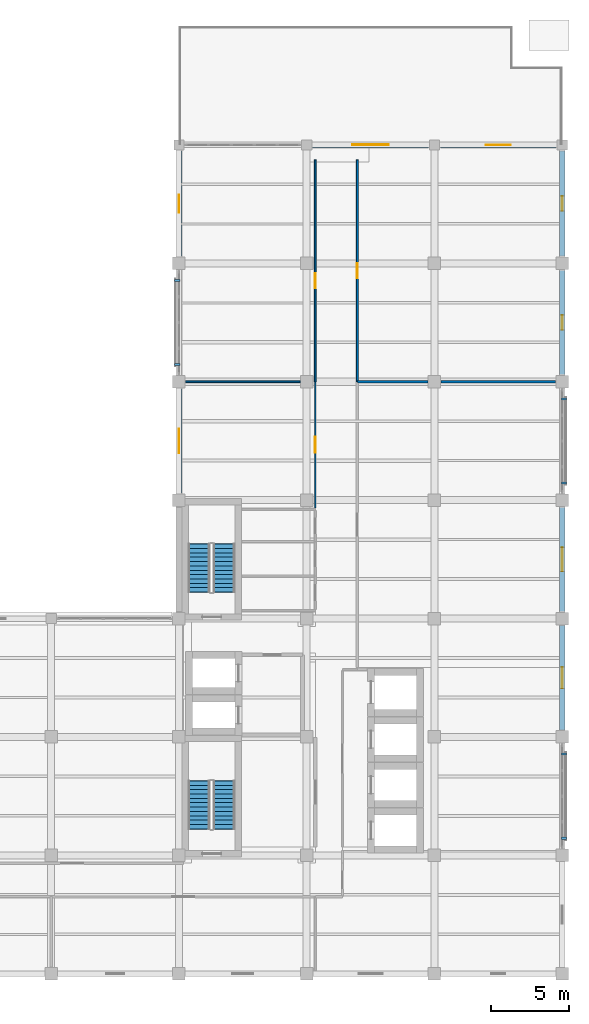
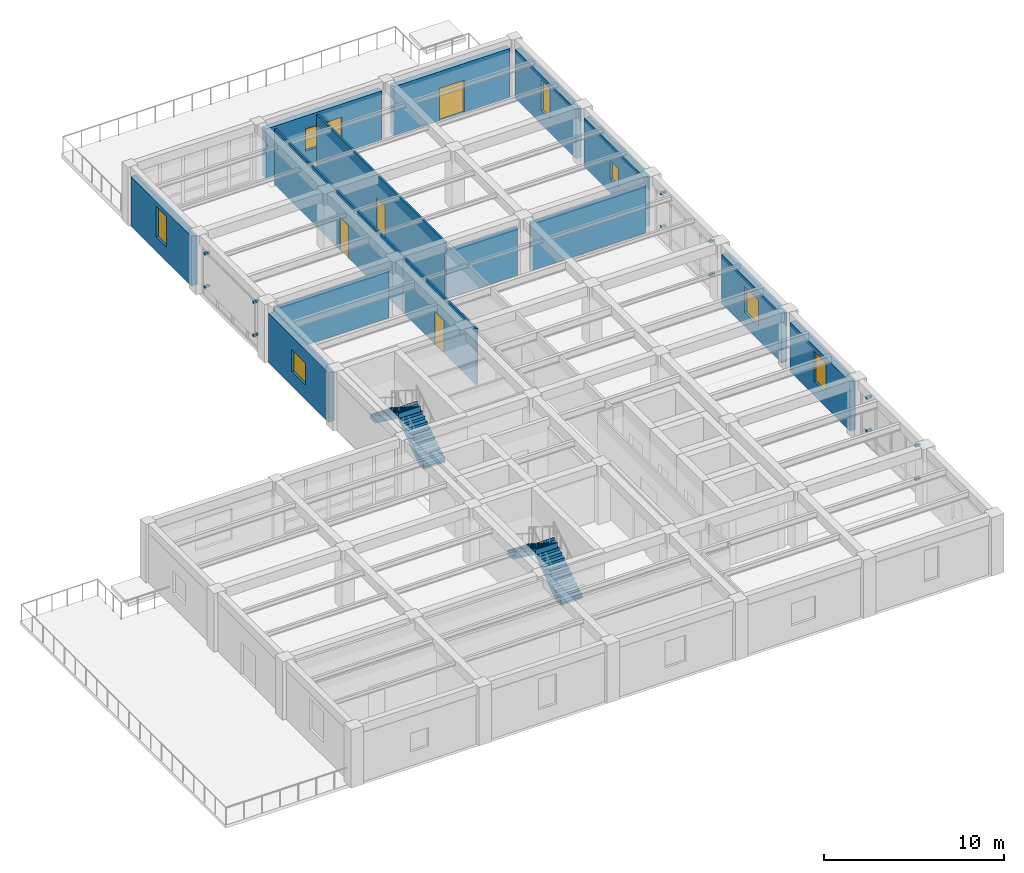
# One storey, part 9 of 14: 14 walls, 12 discrete accessories, 7 windows, 4 doors, 4 stair flights, 11 openings, 2 elements without a shape of their own.
"""IFC4 building model written with IfcOpenShell, lengths in metres."""

from ifc_helpers import new_model, si_unit, direction, frame, frame_2d, origin, origin_2d, place, context, subcontext, project, spatial, polyline, rectangle, outline, extrude, material, layer, layer_set, type_object, element, fill, aggregate, save


model = new_model("IFC4")

# Units and contexts
model_context = context("Model", 3, precision=1e-05, world=origin(), true_north=direction((0.0, 1.0)))
body_context = subcontext(model_context, "Body", "Model", "MODEL_VIEW")
ifc_project = project(units=[si_unit("LENGTHUNIT", "METRE"), si_unit("AREAUNIT", "SQUARE_METRE"), si_unit("VOLUMEUNIT", "CUBIC_METRE"), si_unit("PLANEANGLEUNIT", "RADIAN"), si_unit("MASSUNIT", "GRAM", prefix="KILO")], contexts=[model_context])

# Site, building, storey
site_placement = place(None, origin())
site = spatial("IfcSite", under=ifc_project, at=site_placement, CompositionType="ELEMENT")
building_placement = place(site_placement, origin())
building = spatial("IfcBuilding", under=site, at=building_placement, Name="Qandaris Square Conservatory and Botanical Centre", CompositionType="ELEMENT")
storey_placement = place(building_placement, frame((0.0, 0.0, 36.60009765625)))
storey = spatial("IfcBuildingStorey", under=building, at=storey_placement, Name="L08", CompositionType="ELEMENT", Elevation=36.60009765625)

# Walls
ifc_material_1 = material(Name="Gypsum Plasterboard", Category="gypsum")
ifc_layer_1 = layer(ifc_material_1, 0.14990234375)
ifc_layer_set_1 = layer_set([ifc_layer_1], Name="Gypsum Plasterboard")
wall_type_1 = type_object("IfcWallType", Name="Acoustic Laboratory Partition 150mm", PredefinedType="PARTITIONING", material=ifc_layer_set_1)
wall_1_placement = place(storey_placement, frame((150.64990234375, 54.60009765625, 0.0), z_axis=(0.0, 0.0, 1.0), x_axis=(1.0, 0.0, 0.0)))
element("IfcWall", 1, at=wall_1_placement, inside=storey, type_object=wall_type_1, Name="Interior Partition IW-L08-0313", PredefinedType="PARTITIONING", context=body_context, shape_type="SweptSolid", body=[
    extrude(rectangle(XDim=4.530029296875, YDim=0.14990234375, at=frame_2d((2.26513671875, 0.0))), origin(), (0.0, 0.0, 1.0), 3.284912109375),
])
wall_2_placement = place(storey_placement, frame((156.02001953125, 54.60009765625, 0.0), z_axis=(0.0, 0.0, 1.0), x_axis=(1.0, 0.0, 0.0)))
element("IfcWall", 2, at=wall_2_placement, inside=storey, type_object=wall_type_1, Name="Interior Partition IW-L08-0314", PredefinedType="PARTITIONING", context=body_context, shape_type="SweptSolid", body=[
    extrude(rectangle(XDim=7.35986328125, YDim=0.14990234375, at=frame_2d((3.679931640625, 0.0))), origin(), (0.0, 0.0, 1.0), 3.284912109375),
])

# Wall, opening, window
ifc_material_2 = material(Name="Precast concrete C40/50", Category="concrete")
ifc_layer_2 = layer(ifc_material_2, 0.360107421875)
ifc_layer_set_2 = layer_set([ifc_layer_2], Name="Precast concrete C40/50")
wall_type_2 = type_object("IfcWallType", Name="Architectural Precast Cladding Wall 360mm", PredefinedType="SOLIDWALL", material=ifc_layer_set_2)
wall_3_placement = place(storey_placement, frame((163.800048828125, 32.260009765625, 0.0), z_axis=(0.0, 0.0, 1.0), x_axis=(0.0, 1.0, 0.0)))
wall_3 = element("IfcWall", 3, at=wall_3_placement, inside=storey, type_object=wall_type_2, Name="Exterior Wall EW-TWR-L08-2-3", PredefinedType="SOLIDWALL", context=body_context, shape_type="SweptSolid", body=[
    extrude(rectangle(XDim=6.679931640625, YDim=0.360107421875, at=frame_2d((3.33984375, 0.0))), origin(), (0.0, 0.0, 1.0), 3.3349609375),
])
opening_1_placement = place(wall_3_placement, frame((2.6650390625, 0.0, 0.949951171875)))
opening_1 = element("IfcOpeningElement", 4, at=opening_1_placement, cuts=wall_3, Name="Opening WN-24", PredefinedType="OPENING", context=body_context, shape_type="SweptSolid", body=[
    extrude(rectangle(XDim=1.35009765625, YDim=2.050048828125, at=frame_2d((0.675048828125, 1.02490234375))), frame((0.0, 0.19189453125, 0.0), z_axis=(0.0, -1.0, 0.0), x_axis=(1.0, 0.0, 0.0)), (0.0, 0.0, 1.0), 0.384033203125),
])
ifc_material_3 = material(Name="Tempered Low-E Glass", Category="glass")
window_type_1 = type_object("IfcWindowType", Name="Solar Control Window 1350x2050", PartitioningType="SINGLE_PANEL", PredefinedType="WINDOW", material=ifc_material_3)
window_1_placement = place(opening_1_placement, origin())
window_1 = element("IfcWindow", 5, at=window_1_placement, inside=storey, type_object=window_type_1, Name="Window EW-TWR-L08-2-3", OverallHeight=2.050048828125, OverallWidth=1.35009765625, PartitioningType="SINGLE_PANEL", PredefinedType="WINDOW", context=body_context, shape_type="SweptSolid", body=[
    extrude(rectangle(XDim=1.35009765625, YDim=2.050048828125, at=frame_2d((0.675048828125, 1.02490234375))), frame((0.0, 0.030029296875, 0.0), z_axis=(0.0, -1.0, 0.0), x_axis=(1.0, 0.0, 0.0)), (0.0, 0.0, 1.0), 0.06005859375),
])
fill(opening_1, window_1)

wall_4_placement = place(storey_placement, frame((163.800048828125, 39.860107421875, 0.0), z_axis=(0.0, 0.0, 1.0), x_axis=(0.0, 1.0, 0.0)))
wall_4 = element("IfcWall", 6, at=wall_4_placement, inside=storey, type_object=wall_type_2, Name="Exterior Wall EW-TWR-L08-2-4", PredefinedType="SOLIDWALL", context=body_context, shape_type="SweptSolid", body=[
    extrude(rectangle(XDim=6.679931640625, YDim=0.360107421875, at=frame_2d((3.33984375, 0.0))), origin(), (0.0, 0.0, 1.0), 3.3349609375),
])
opening_2_placement = place(wall_4_placement, frame((2.56494140625, 0.0, 0.949951171875)))
opening_2 = element("IfcOpeningElement", 7, at=opening_2_placement, cuts=wall_4, Name="Opening WN-27", PredefinedType="OPENING", context=body_context, shape_type="SweptSolid", body=[
    extrude(rectangle(XDim=1.550048828125, YDim=1.75, at=frame_2d((0.77490234375, 0.875))), frame((0.0, 0.19189453125, 0.0), z_axis=(0.0, -1.0, 0.0), x_axis=(1.0, 0.0, 0.0)), (0.0, 0.0, 1.0), 0.384033203125),
])
window_type_2 = type_object("IfcWindowType", Name="Solar Control Window 1550x1750", PartitioningType="DOUBLE_PANEL_VERTICAL", PredefinedType="WINDOW", material=ifc_material_3)
window_2_placement = place(opening_2_placement, origin())
window_2 = element("IfcWindow", 8, at=window_2_placement, inside=storey, type_object=window_type_2, Name="Window EW-TWR-L08-2-4", OverallHeight=1.75, OverallWidth=1.550048828125, PartitioningType="DOUBLE_PANEL_VERTICAL", PredefinedType="WINDOW", context=body_context, shape_type="SweptSolid", body=[
    extrude(rectangle(XDim=1.550048828125, YDim=1.75, at=frame_2d((0.77490234375, 0.875))), frame((0.0, 0.030029296875, 0.0), z_axis=(0.0, -1.0, 0.0), x_axis=(1.0, 0.0, 0.0)), (0.0, 0.0, 1.0), 0.06005859375),
])
fill(opening_2, window_2)

wall_5_placement = place(storey_placement, frame((163.800048828125, 55.06005859375, 0.0), z_axis=(0.0, 0.0, 1.0), x_axis=(0.0, 1.0, 0.0)))
wall_5 = element("IfcWall", 9, at=wall_5_placement, inside=storey, type_object=wall_type_2, Name="Exterior Wall EW-TWR-L08-2-6", PredefinedType="SOLIDWALL", context=body_context, shape_type="SweptSolid", body=[
    extrude(rectangle(XDim=6.679931640625, YDim=0.360107421875, at=frame_2d((3.33984375, 0.0))), origin(), (0.0, 0.0, 1.0), 3.3349609375),
])
opening_3_placement = place(wall_5_placement, frame((2.864990234375, 0.0, 0.949951171875)))
opening_3 = element("IfcOpeningElement", 10, at=opening_3_placement, cuts=wall_5, Name="Opening WN-13", PredefinedType="OPENING", context=body_context, shape_type="SweptSolid", body=[
    extrude(rectangle(XDim=0.949951171875, YDim=1.25, at=frame_2d((0.47509765625, 0.625))), frame((0.0, 0.19189453125, 0.0), z_axis=(0.0, -1.0, 0.0), x_axis=(1.0, 0.0, 0.0)), (0.0, 0.0, 1.0), 0.384033203125),
])
window_type_3 = type_object("IfcWindowType", Name="Solar Control Window 950x1250", PartitioningType="SINGLE_PANEL", PredefinedType="WINDOW", material=ifc_material_3)
window_3_placement = place(opening_3_placement, origin())
window_3 = element("IfcWindow", 11, at=window_3_placement, inside=storey, type_object=window_type_3, Name="Window EW-TWR-L08-2-6", OverallHeight=1.25, OverallWidth=0.949951171875, PartitioningType="SINGLE_PANEL", PredefinedType="WINDOW", context=body_context, shape_type="SweptSolid", body=[
    extrude(rectangle(XDim=0.949951171875, YDim=1.25, at=frame_2d((0.47509765625, 0.625))), frame((0.0, 0.030029296875, 0.0), z_axis=(0.0, -1.0, 0.0), x_axis=(1.0, 0.0, 0.0)), (0.0, 0.0, 1.0), 0.06005859375),
])
fill(opening_3, window_3)

wall_6_placement = place(storey_placement, frame((163.800048828125, 62.659912109375, 0.0), z_axis=(0.0, 0.0, 1.0), x_axis=(0.0, 1.0, 0.0)))
wall_6 = element("IfcWall", 12, at=wall_6_placement, inside=storey, type_object=wall_type_2, Name="Exterior Wall EW-TWR-L08-2-7", PredefinedType="SOLIDWALL", context=body_context, shape_type="SweptSolid", body=[
    extrude(rectangle(XDim=6.755126953125, YDim=0.360107421875, at=frame_2d((3.37744140625, 0.0))), origin(), (0.0, 0.0, 1.0), 3.3349609375),
])
opening_4_placement = place(wall_6_placement, frame((2.902587890625, 0.0, 0.949951171875)))
opening_4 = element("IfcOpeningElement", 13, at=opening_4_placement, cuts=wall_6, Name="Opening WN-16", PredefinedType="OPENING", context=body_context, shape_type="SweptSolid", body=[
    extrude(rectangle(XDim=0.949951171875, YDim=2.050048828125, at=frame_2d((0.47509765625, 1.02490234375))), frame((0.0, 0.19189453125, 0.0), z_axis=(0.0, -1.0, 0.0), x_axis=(1.0, 0.0, 0.0)), (0.0, 0.0, 1.0), 0.384033203125),
])
window_type_4 = type_object("IfcWindowType", Name="Solar Control Window 950x2050", PartitioningType="SINGLE_PANEL", PredefinedType="WINDOW", material=ifc_material_3)
window_4_placement = place(opening_4_placement, origin())
window_4 = element("IfcWindow", 14, at=window_4_placement, inside=storey, type_object=window_type_4, Name="Window EW-TWR-L08-2-7", OverallHeight=2.050048828125, OverallWidth=0.949951171875, PartitioningType="SINGLE_PANEL", PredefinedType="WINDOW", context=body_context, shape_type="SweptSolid", body=[
    extrude(rectangle(XDim=0.949951171875, YDim=2.050048828125, at=frame_2d((0.47509765625, 1.02490234375))), frame((0.0, 0.030029296875, 0.0), z_axis=(0.0, -1.0, 0.0), x_axis=(1.0, 0.0, 0.0)), (0.0, 0.0, 1.0), 0.06005859375),
])
fill(opening_4, window_4)

# Wall, opening, door
wall_7_placement = place(storey_placement, frame((163.4150390625, 69.800048828125, 0.0), z_axis=(0.0, 0.0, 1.0), x_axis=(-1.0, 0.0, 0.0)))
wall_7 = element("IfcWall", 15, at=wall_7_placement, inside=storey, type_object=wall_type_2, Name="Exterior Wall EW-TWR-L08-3-1", PredefinedType="SOLIDWALL", context=body_context, shape_type="SweptSolid", body=[
    extrude(rectangle(XDim=7.429931640625, YDim=0.360107421875, at=frame_2d((3.71484375, 0.0))), origin(), (0.0, 0.0, 1.0), 3.3349609375),
])
opening_5_placement = place(wall_7_placement, frame((2.9150390625, 0.0, 0.0)))
opening_5 = element("IfcOpeningElement", 16, at=opening_5_placement, cuts=wall_7, Name="Opening ED-T4", PredefinedType="OPENING", context=body_context, shape_type="SweptSolid", body=[
    extrude(rectangle(XDim=1.60009765625, YDim=2.199951171875, at=frame_2d((0.800048828125, 1.10009765625))), frame((0.0, 0.19189453125, 0.0), z_axis=(0.0, -1.0, 0.0), x_axis=(1.0, 0.0, 0.0)), (0.0, 0.0, 1.0), 0.384033203125),
])
ifc_material_4 = material(Name="Anodised Aluminium", Category="aluminium")
door_type_1 = type_object("IfcDoorType", Name="Terrace Garden Glazed Access Door 1600x2200", OperationType="DOUBLE_DOOR_SINGLE_SWING", PredefinedType="DOOR", material=ifc_material_4)
door_1_placement = place(opening_5_placement, frame((1.60009765625, 0.0, 0.0), z_axis=(0.0, 0.0, 1.0), x_axis=(-1.0, 0.0, 0.0)))
door_1 = element("IfcDoor", 17, at=door_1_placement, inside=storey, type_object=door_type_1, Name="DR-0284 Exterior Exit Door TD-TER-L08N", OperationType="DOUBLE_DOOR_SINGLE_SWING", OverallHeight=2.199951171875, OverallWidth=1.60009765625, PredefinedType="DOOR", context=body_context, shape_type="SweptSolid", body=[
    extrude(rectangle(XDim=1.60009765625, YDim=2.199951171875, at=frame_2d((0.800048828125, 1.10009765625))), frame((0.0, 0.02490234375, 0.0), z_axis=(0.0, -1.0, 0.0), x_axis=(1.0, 0.0, 0.0)), (0.0, 0.0, 1.0), 0.050048828125),
])
fill(opening_5, door_1)

# Wall, opening, window
wall_8_placement = place(storey_placement, frame((155.215087890625, 69.800048828125, 0.0), z_axis=(0.0, 0.0, 1.0), x_axis=(-1.0, 0.0, 0.0)))
wall_8 = element("IfcWall", 18, at=wall_8_placement, inside=storey, type_object=wall_type_2, Name="Exterior Wall EW-TWR-L08-3-2", PredefinedType="SOLIDWALL", context=body_context, shape_type="SweptSolid", body=[
    extrude(rectangle(XDim=7.43017578125, YDim=0.360107421875, at=frame_2d((3.715087890625, 0.0))), origin(), (0.0, 0.0, 1.0), 3.3349609375),
])
opening_6_placement = place(wall_8_placement, frame((2.5400390625, 0.0, 0.949951171875)))
opening_6 = element("IfcOpeningElement", 19, at=opening_6_placement, cuts=wall_8, Name="Opening WN-38", PredefinedType="OPENING", context=body_context, shape_type="SweptSolid", body=[
    extrude(rectangle(XDim=2.35009765625, YDim=1.5, at=frame_2d((1.175048828125, 0.75))), frame((0.0, 0.19189453125, 0.0), z_axis=(0.0, -1.0, 0.0), x_axis=(1.0, 0.0, 0.0)), (0.0, 0.0, 1.0), 0.384033203125),
])
window_type_5 = type_object("IfcWindowType", Name="Solar Control Window 2350x1500", PartitioningType="DOUBLE_PANEL_VERTICAL", PredefinedType="WINDOW", material=ifc_material_3)
window_5_placement = place(opening_6_placement, origin())
window_5 = element("IfcWindow", 20, at=window_5_placement, inside=storey, type_object=window_type_5, Name="Window EW-TWR-L08-3-2", OverallHeight=1.5, OverallWidth=2.35009765625, PartitioningType="DOUBLE_PANEL_VERTICAL", PredefinedType="WINDOW", context=body_context, shape_type="SweptSolid", body=[
    extrude(rectangle(XDim=2.35009765625, YDim=1.5, at=frame_2d((1.175048828125, 0.75))), frame((0.0, 0.030029296875, 0.0), z_axis=(0.0, -1.0, 0.0), x_axis=(1.0, 0.0, 0.0)), (0.0, 0.0, 1.0), 0.06005859375),
])
fill(opening_6, window_5)

wall_9_placement = place(storey_placement, frame((139.199951171875, 69.4150390625, 0.0), z_axis=(0.0, 0.0, 1.0), x_axis=(0.0, -1.0, 0.0)))
wall_9 = element("IfcWall", 21, at=wall_9_placement, inside=storey, type_object=wall_type_2, Name="Exterior Wall EW-TWR-L08-4-1", PredefinedType="SOLIDWALL", context=body_context, shape_type="SweptSolid", body=[
    extrude(rectangle(XDim=6.755126953125, YDim=0.360107421875, at=frame_2d((3.37744140625, 0.0))), origin(), (0.0, 0.0, 1.0), 3.3349609375),
])
opening_7_placement = place(wall_9_placement, frame((2.802490234375, 0.0, 0.949951171875)))
opening_7 = element("IfcOpeningElement", 22, at=opening_7_placement, cuts=wall_9, Name="Opening WN-20", PredefinedType="OPENING", context=body_context, shape_type="SweptSolid", body=[
    extrude(rectangle(XDim=1.14990234375, YDim=2.050048828125, at=frame_2d((0.574951171875, 1.02490234375))), frame((0.0, 0.19189453125, 0.0), z_axis=(0.0, -1.0, 0.0), x_axis=(1.0, 0.0, 0.0)), (0.0, 0.0, 1.0), 0.384033203125),
])
window_type_6 = type_object("IfcWindowType", Name="Solar Control Window 1150x2050", PartitioningType="SINGLE_PANEL", PredefinedType="WINDOW", material=ifc_material_3)
window_6_placement = place(opening_7_placement, origin())
window_6 = element("IfcWindow", 23, at=window_6_placement, inside=storey, type_object=window_type_6, Name="Window EW-TWR-L08-4-1", OverallHeight=2.050048828125, OverallWidth=1.14990234375, PartitioningType="SINGLE_PANEL", PredefinedType="WINDOW", context=body_context, shape_type="SweptSolid", body=[
    extrude(rectangle(XDim=1.14990234375, YDim=2.050048828125, at=frame_2d((0.574951171875, 1.02490234375))), frame((0.0, 0.030029296875, 0.0), z_axis=(0.0, -1.0, 0.0), x_axis=(1.0, 0.0, 0.0)), (0.0, 0.0, 1.0), 0.06005859375),
])
fill(opening_7, window_6)

wall_10_placement = place(storey_placement, frame((139.199951171875, 54.139892578125, 0.0), z_axis=(0.0, 0.0, 1.0), x_axis=(0.0, -1.0, 0.0)))
wall_10 = element("IfcWall", 24, at=wall_10_placement, inside=storey, type_object=wall_type_2, Name="Exterior Wall EW-TWR-L08-4-3", PredefinedType="SOLIDWALL", context=body_context, shape_type="SweptSolid", body=[
    extrude(rectangle(XDim=6.679931640625, YDim=0.360107421875, at=frame_2d((3.33984375, 0.0))), origin(), (0.0, 0.0, 1.0), 3.3349609375),
])
opening_8_placement = place(wall_10_placement, frame((2.56494140625, 0.0, 0.949951171875)))
opening_8 = element("IfcOpeningElement", 25, at=opening_8_placement, cuts=wall_10, Name="Opening WN-26", PredefinedType="OPENING", context=body_context, shape_type="SweptSolid", body=[
    extrude(rectangle(XDim=1.550048828125, YDim=1.5, at=frame_2d((0.77490234375, 0.75))), frame((0.0, 0.19189453125, 0.0), z_axis=(0.0, -1.0, 0.0), x_axis=(1.0, 0.0, 0.0)), (0.0, 0.0, 1.0), 0.384033203125),
])
window_type_7 = type_object("IfcWindowType", Name="Solar Control Window 1550x1500", PartitioningType="DOUBLE_PANEL_VERTICAL", PredefinedType="WINDOW", material=ifc_material_3)
window_7_placement = place(opening_8_placement, origin())
window_7 = element("IfcWindow", 26, at=window_7_placement, inside=storey, type_object=window_type_7, Name="Window EW-TWR-L08-4-3", OverallHeight=1.5, OverallWidth=1.550048828125, PartitioningType="DOUBLE_PANEL_VERTICAL", PredefinedType="WINDOW", context=body_context, shape_type="SweptSolid", body=[
    extrude(rectangle(XDim=1.550048828125, YDim=1.5, at=frame_2d((0.77490234375, 0.75))), frame((0.0, 0.030029296875, 0.0), z_axis=(0.0, -1.0, 0.0), x_axis=(1.0, 0.0, 0.0)), (0.0, 0.0, 1.0), 0.06005859375),
])
fill(opening_8, window_7)

# Wall, opening, door
ifc_layer_3 = layer(ifc_material_1, 0.1201171875)
ifc_layer_set_3 = layer_set([ifc_layer_3], Name="Gypsum Plasterboard")
wall_type_3 = type_object("IfcWallType", Name="Standard Research Partition 120mm", PredefinedType="PARTITIONING", material=ifc_layer_set_3)
wall_11_placement = place(storey_placement, frame((147.949951171875, 46.510009765625, 0.0), z_axis=(0.0, 0.0, 1.0), x_axis=(0.0, 1.0, 0.0)))
wall_11 = element("IfcWall", 27, at=wall_11_placement, inside=storey, type_object=wall_type_3, Name="Interior Partition IW-L08-0307", PredefinedType="PARTITIONING", context=body_context, shape_type="SweptSolid", body=[
    extrude(rectangle(XDim=8.090087890625, YDim=0.1201171875, at=frame_2d((4.044921875, 0.0))), origin(), (0.0, 0.0, 1.0), 3.804931640625),
])
opening_9_placement = place(wall_11_placement, frame((3.52001953125, 0.0, 0.0)))
opening_9 = element("IfcOpeningElement", 28, at=opening_9_placement, cuts=wall_11, Name="Opening D-LAB2", PredefinedType="OPENING", context=body_context, shape_type="SweptSolid", body=[
    extrude(rectangle(XDim=1.050048828125, YDim=2.199951171875, at=frame_2d((0.52490234375, 1.10009765625))), frame((0.0, 0.072021484375, 0.0), z_axis=(0.0, -1.0, 0.0), x_axis=(1.0, 0.0, 0.0)), (0.0, 0.0, 1.0), 0.14404296875),
])
ifc_material_5 = material(Name="Engineered Oak Timber", Category="wood")
door_type_2 = type_object("IfcDoorType", Name="Analytical Laboratory Single Door 1050x2200", OperationType="NOTDEFINED", PredefinedType="DOOR", material=ifc_material_5)
door_2_placement = place(opening_9_placement, origin())
door_2 = element("IfcDoor", 29, at=door_2_placement, inside=storey, type_object=door_type_2, Name="DR-0275 Date Palm Genomics Specimen Prep Room Door", OperationType="SINGLE_SWING_RIGHT", OverallHeight=2.199951171875, OverallWidth=1.050048828125, PredefinedType="DOOR", context=body_context, shape_type="SweptSolid", body=[
    extrude(rectangle(XDim=1.050048828125, YDim=2.199951171875, at=frame_2d((0.52490234375, 1.10009765625))), frame((0.0, 0.02490234375, 0.0), z_axis=(0.0, -1.0, 0.0), x_axis=(1.0, 0.0, 0.0)), (0.0, 0.0, 1.0), 0.050048828125),
])
fill(opening_9, door_2)

wall_12_placement = place(storey_placement, frame((147.949951171875, 54.60009765625, 0.0), z_axis=(0.0, 0.0, 1.0), x_axis=(0.0, 1.0, 0.0)))
wall_12 = element("IfcWall", 30, at=wall_12_placement, inside=storey, type_object=wall_type_3, Name="Interior Partition IW-L08-0308", PredefinedType="PARTITIONING", context=body_context, shape_type="SweptSolid", body=[
    extrude(rectangle(XDim=14.239990234375, YDim=0.1201171875, at=frame_2d((7.1201171875, 0.0))), origin(), (0.0, 0.0, 1.0), 3.804931640625),
])
opening_10_placement = place(wall_12_placement, frame((6.01123046875, 0.0, 0.0)))
opening_10 = element("IfcOpeningElement", 31, at=opening_10_placement, cuts=wall_12, Name="Opening D-OFF1", PredefinedType="OPENING", context=body_context, shape_type="SweptSolid", body=[
    extrude(rectangle(XDim=0.949951171875, YDim=2.199951171875, at=frame_2d((0.47509765625, 1.10009765625))), frame((0.0, 0.072021484375, 0.0), z_axis=(0.0, -1.0, 0.0), x_axis=(1.0, 0.0, 0.0)), (0.0, 0.0, 1.0), 0.14404296875),
])
door_type_3 = type_object("IfcDoorType", Name="Research Office Acoustic Door 950x2200", OperationType="NOTDEFINED", PredefinedType="DOOR", material=ifc_material_5)
door_3_placement = place(opening_10_placement, frame((0.949951171875, 0.0, 0.0), z_axis=(0.0, 0.0, 1.0), x_axis=(-1.0, 0.0, 0.0)))
door_3 = element("IfcDoor", 32, at=door_3_placement, inside=storey, type_object=door_type_3, Name="DR-0276 Rhizosphere Biology Collaborative Seminar Room Door", OperationType="SINGLE_SWING_LEFT", OverallHeight=2.199951171875, OverallWidth=0.949951171875, PredefinedType="DOOR", context=body_context, shape_type="SweptSolid", body=[
    extrude(rectangle(XDim=0.949951171875, YDim=2.199951171875, at=frame_2d((0.47509765625, 1.10009765625))), frame((0.0, 0.02490234375, 0.0), z_axis=(0.0, -1.0, 0.0), x_axis=(1.0, 0.0, 0.0)), (0.0, 0.0, 1.0), 0.050048828125),
])
fill(opening_10, door_3)

wall_13_placement = place(storey_placement, frame((150.64990234375, 68.840087890625, 0.0), z_axis=(0.0, 0.0, 1.0), x_axis=(0.0, -1.0, 0.0)))
wall_13 = element("IfcWall", 33, at=wall_13_placement, inside=storey, type_object=wall_type_3, Name="Interior Partition IW-L08-0309", PredefinedType="PARTITIONING", context=body_context, shape_type="SweptSolid", body=[
    extrude(rectangle(XDim=14.239990234375, YDim=0.1201171875, at=frame_2d((7.1201171875, 0.0))), origin(), (0.0, 0.0, 1.0), 3.804931640625),
])
opening_11_placement = place(wall_13_placement, frame((6.64501953125, 0.0, 0.0)))
opening_11 = element("IfcOpeningElement", 34, at=opening_11_placement, cuts=wall_13, Name="Opening D-OFF1", PredefinedType="OPENING", context=body_context, shape_type="SweptSolid", body=[
    extrude(rectangle(XDim=0.949951171875, YDim=2.199951171875, at=frame_2d((0.47509765625, 1.10009765625))), frame((0.0, 0.072021484375, 0.0), z_axis=(0.0, -1.0, 0.0), x_axis=(1.0, 0.0, 0.0)), (0.0, 0.0, 1.0), 0.14404296875),
])
door_4_placement = place(opening_11_placement, origin())
door_4 = element("IfcDoor", 35, at=door_4_placement, inside=storey, type_object=door_type_3, Name="DR-0277 Floor L08 Staff Write-Up Lounge Door", OperationType="SINGLE_SWING_RIGHT", OverallHeight=2.199951171875, OverallWidth=0.949951171875, PredefinedType="DOOR", context=body_context, shape_type="SweptSolid", body=[
    extrude(rectangle(XDim=0.949951171875, YDim=2.199951171875, at=frame_2d((0.47509765625, 1.10009765625))), frame((0.0, 0.02490234375, 0.0), z_axis=(0.0, -1.0, 0.0), x_axis=(1.0, 0.0, 0.0)), (0.0, 0.0, 1.0), 0.050048828125),
])
fill(opening_11, door_4)

# Wall
wall_14_placement = place(storey_placement, frame((139.6201171875, 54.60009765625, 0.0), z_axis=(0.0, 0.0, 1.0), x_axis=(1.0, 0.0, 0.0)))
element("IfcWall", 36, at=wall_14_placement, inside=storey, type_object=wall_type_3, Name="Interior Partition IW-L08-0315", PredefinedType="PARTITIONING", context=body_context, shape_type="SweptSolid", body=[
    extrude(rectangle(XDim=7.35986328125, YDim=0.1201171875, at=frame_2d((3.679931640625, 0.0))), origin(), (0.0, 0.0, 1.0), 3.284912109375),
])

# Stair, stair flights
ifc_material_6 = material(Name="Concrete C40/50", Category="concrete")
stair_type = type_object("IfcStairType", Name="Core Escape Scissor Stair", PredefinedType="HALF_TURN_STAIR", material=ifc_material_6)
stair_1_placement = place(storey_placement, origin())
stair_1 = element("IfcStair", 37, at=stair_1_placement, inside=storey, type_object=stair_type, Name="L08 Tower South Exit Stair ST-1", PredefinedType="HALF_TURN_STAIR")
stair_flight_type = type_object("IfcStairFlightType", Name="RC Precast Stair Flight 1400mm", PredefinedType="STRAIGHT", material=ifc_material_2)
stair_flight_1_placement = place(storey_placement, frame((142.10009765625, 25.89990234375, 0.0), z_axis=(0.0, 0.0, 1.0), x_axis=(0.0, 1.0, 0.0)))
stair_flight_1 = element("IfcStairFlight", 38, at=stair_flight_1_placement, type_object=stair_flight_type, Name="ST-1 flight 1", NumberOfRisers=12, NumberOfTreads=11, PredefinedType="STRAIGHT", RiserHeight=0.175, TreadLength=0.28, context=body_context, shape_type="SweptSolid", body=[
    extrude(outline(polyline([(-0.034912109375, 0.0), (0.0, 0.0), (0.0, 0.175048828125), (0.280029296875, 0.175048828125), (0.280029296875, 0.35009765625), (0.56005859375, 0.35009765625), (0.56005859375, 0.52490234375), (0.840087890625, 0.52490234375), (0.840087890625, 0.699951171875), (1.1201171875, 0.699951171875), (1.1201171875, 0.875), (1.39990234375, 0.875), (1.39990234375, 1.050048828125), (1.679931640625, 1.050048828125), (1.679931640625, 1.22509765625), (1.9599609375, 1.22509765625), (1.9599609375, 1.39990234375), (2.239990234375, 1.39990234375), (2.239990234375, 1.574951171875), (2.52001953125, 1.574951171875), (2.52001953125, 1.75), (2.800048828125, 1.75), (2.800048828125, 1.925048828125), (3.080078125, 1.925048828125), (3.080078125, 2.10009765625), (3.114990234375, 2.10009765625), (3.114990234375, 1.748291015625), (3.080078125, 1.748291015625), (0.5068359375, -0.139892578125), (-0.034912109375, -0.139892578125), (-0.034912109375, 0.0)])), frame((0.0, 0.699951171875, 0.0), z_axis=(0.0, -1.0, 0.0), x_axis=(1.0, 0.0, 0.0)), (0.0, 0.0, 1.0), 1.39990234375),
])
stair_flight_2_placement = place(storey_placement, frame((140.5, 28.97998046875, 2.099853515625), z_axis=(0.0, 0.0, 1.0), x_axis=(0.0, -1.0, 0.0)))
stair_flight_2 = element("IfcStairFlight", 39, at=stair_flight_2_placement, type_object=stair_flight_type, Name="ST-1 flight 2", NumberOfRisers=12, NumberOfTreads=11, PredefinedType="STRAIGHT", RiserHeight=0.175, TreadLength=0.28, context=body_context, shape_type="SweptSolid", body=[
    extrude(outline(polyline([(-0.034912109375, 0.0), (0.0, 0.0), (0.0, 0.175048828125), (0.280029296875, 0.175048828125), (0.280029296875, 0.35009765625), (0.56005859375, 0.35009765625), (0.56005859375, 0.52490234375), (0.840087890625, 0.52490234375), (0.840087890625, 0.699951171875), (1.1201171875, 0.699951171875), (1.1201171875, 0.875), (1.39990234375, 0.875), (1.39990234375, 1.050048828125), (1.679931640625, 1.050048828125), (1.679931640625, 1.22509765625), (1.9599609375, 1.22509765625), (1.9599609375, 1.39990234375), (2.239990234375, 1.39990234375), (2.239990234375, 1.574951171875), (2.52001953125, 1.574951171875), (2.52001953125, 1.75), (2.800048828125, 1.75), (2.800048828125, 1.925048828125), (3.080078125, 1.925048828125), (3.080078125, 2.10009765625), (3.114990234375, 2.10009765625), (3.114990234375, 1.748291015625), (3.080078125, 1.748291015625), (0.5068359375, -0.139892578125), (-0.034912109375, -0.139892578125), (-0.034912109375, 0.0)])), frame((0.0, 0.699951171875, 0.0), z_axis=(0.0, -1.0, 0.0), x_axis=(1.0, 0.0, 0.0)), (0.0, 0.0, 1.0), 1.39990234375),
])
aggregate(stair_1, [stair_flight_1, stair_flight_2])

stair_2_placement = place(storey_placement, origin())
stair_2 = element("IfcStair", 40, at=stair_2_placement, inside=storey, type_object=stair_type, Name="L08 Tower North Exit Stair ST-2", PredefinedType="HALF_TURN_STAIR")
stair_flight_3_placement = place(storey_placement, frame((142.10009765625, 41.10009765625, 0.0), z_axis=(0.0, 0.0, 1.0), x_axis=(0.0, 1.0, 0.0)))
stair_flight_3 = element("IfcStairFlight", 41, at=stair_flight_3_placement, type_object=stair_flight_type, Name="ST-2 flight 1", NumberOfRisers=12, NumberOfTreads=11, PredefinedType="STRAIGHT", RiserHeight=0.175, TreadLength=0.28, context=body_context, shape_type="SweptSolid", body=[
    extrude(outline(polyline([(-0.034912109375, 0.0), (0.0, 0.0), (0.0, 0.175048828125), (0.280029296875, 0.175048828125), (0.280029296875, 0.35009765625), (0.56005859375, 0.35009765625), (0.56005859375, 0.52490234375), (0.840087890625, 0.52490234375), (0.840087890625, 0.699951171875), (1.1201171875, 0.699951171875), (1.1201171875, 0.875), (1.39990234375, 0.875), (1.39990234375, 1.050048828125), (1.679931640625, 1.050048828125), (1.679931640625, 1.22509765625), (1.9599609375, 1.22509765625), (1.9599609375, 1.39990234375), (2.239990234375, 1.39990234375), (2.239990234375, 1.574951171875), (2.52001953125, 1.574951171875), (2.52001953125, 1.75), (2.800048828125, 1.75), (2.800048828125, 1.925048828125), (3.080078125, 1.925048828125), (3.080078125, 2.10009765625), (3.114990234375, 2.10009765625), (3.114990234375, 1.748291015625), (3.080078125, 1.748291015625), (0.5068359375, -0.139892578125), (-0.034912109375, -0.139892578125), (-0.034912109375, 0.0)])), frame((0.0, 0.699951171875, 0.0), z_axis=(0.0, -1.0, 0.0), x_axis=(1.0, 0.0, 0.0)), (0.0, 0.0, 1.0), 1.39990234375),
])
stair_flight_4_placement = place(storey_placement, frame((140.5, 44.179931640625, 2.099853515625), z_axis=(0.0, 0.0, 1.0), x_axis=(0.0, -1.0, 0.0)))
stair_flight_4 = element("IfcStairFlight", 42, at=stair_flight_4_placement, type_object=stair_flight_type, Name="ST-2 flight 2", NumberOfRisers=12, NumberOfTreads=11, PredefinedType="STRAIGHT", RiserHeight=0.175, TreadLength=0.28, context=body_context, shape_type="SweptSolid", body=[
    extrude(outline(polyline([(-0.034912109375, 0.0), (0.0, 0.0), (0.0, 0.175048828125), (0.280029296875, 0.175048828125), (0.280029296875, 0.35009765625), (0.56005859375, 0.35009765625), (0.56005859375, 0.52490234375), (0.840087890625, 0.52490234375), (0.840087890625, 0.699951171875), (1.1201171875, 0.699951171875), (1.1201171875, 0.875), (1.39990234375, 0.875), (1.39990234375, 1.050048828125), (1.679931640625, 1.050048828125), (1.679931640625, 1.22509765625), (1.9599609375, 1.22509765625), (1.9599609375, 1.39990234375), (2.239990234375, 1.39990234375), (2.239990234375, 1.574951171875), (2.52001953125, 1.574951171875), (2.52001953125, 1.75), (2.800048828125, 1.75), (2.800048828125, 1.925048828125), (3.080078125, 1.925048828125), (3.080078125, 2.10009765625), (3.114990234375, 2.10009765625), (3.114990234375, 1.748291015625), (3.080078125, 1.748291015625), (0.5068359375, -0.139892578125), (-0.034912109375, -0.139892578125), (-0.034912109375, 0.0)])), frame((0.0, 0.699951171875, 0.0), z_axis=(0.0, -1.0, 0.0), x_axis=(1.0, 0.0, 0.0)), (0.0, 0.0, 1.0), 1.39990234375),
])
aggregate(stair_2, [stair_flight_3, stair_flight_4])

# Discrete accessories
ifc_material_7 = material(Name="Steel S355", Category="steel")
discrete_accessory_type = type_object("IfcDiscreteAccessoryType", Name="Mashrabiya Support Outrigger Bracket", PredefinedType="BRACKET", material=ifc_material_7)
for number, where, z_axis, x_axis, name in (
    (43, (163.909912109375, 25.300048828125, 0.85400390625), (0.0, 0.0, 1.0), (0.0, 1.0, 0.0), "Mashrabiya Bracket CW-TWR-L08-2-2-BRK-6-375"),
    (44, (163.909912109375, 25.300048828125, 3.10009765625), (0.0, 0.0, 1.0), (0.0, 1.0, 0.0), "Mashrabiya Bracket CW-TWR-L08-2-2-BRK-6-398"),
    (45, (163.909912109375, 30.699951171875, 0.85400390625), (0.0, 0.0, 1.0), (0.0, 1.0, 0.0), "Mashrabiya Bracket CW-TWR-L08-2-2-BRK-60-375"),
    (46, (163.909912109375, 30.699951171875, 3.10009765625), (0.0, 0.0, 1.0), (0.0, 1.0, 0.0), "Mashrabiya Bracket CW-TWR-L08-2-2-BRK-60-398"),
    (47, (163.909912109375, 48.10009765625, 0.85400390625), (0.0, 0.0, 1.0), (0.0, 1.0, 0.0), "Mashrabiya Bracket CW-TWR-L08-2-5-BRK-6-375"),
    (48, (163.909912109375, 48.10009765625, 3.10009765625), (0.0, 0.0, 1.0), (0.0, 1.0, 0.0), "Mashrabiya Bracket CW-TWR-L08-2-5-BRK-6-398"),
    (49, (163.909912109375, 53.5, 0.85400390625), (0.0, 0.0, 1.0), (0.0, 1.0, 0.0), "Mashrabiya Bracket CW-TWR-L08-2-5-BRK-60-375"),
    (50, (163.909912109375, 53.5, 3.10009765625), (0.0, 0.0, 1.0), (0.0, 1.0, 0.0), "Mashrabiya Bracket CW-TWR-L08-2-5-BRK-60-398"),
    (51, (139.090087890625, 61.10009765625, 0.85400390625), (0.0, 0.0, 1.0), (0.0, -1.0, 0.0), "Mashrabiya Bracket CW-TWR-L08-4-2-BRK-6-375"),
    (52, (139.090087890625, 61.10009765625, 3.10009765625), (0.0, 0.0, 1.0), (0.0, -1.0, 0.0), "Mashrabiya Bracket CW-TWR-L08-4-2-BRK-6-398"),
    (53, (139.090087890625, 55.699951171875, 0.85400390625), (0.0, 0.0, 1.0), (0.0, -1.0, 0.0), "Mashrabiya Bracket CW-TWR-L08-4-2-BRK-60-375"),
    (54, (139.090087890625, 55.699951171875, 3.10009765625), (0.0, 0.0, 1.0), (0.0, -1.0, 0.0), "Mashrabiya Bracket CW-TWR-L08-4-2-BRK-60-398"),
):
    element("IfcDiscreteAccessory", number, at=place(storey_placement, frame(where, z_axis=z_axis, x_axis=x_axis)), inside=storey, type_object=discrete_accessory_type, Name=name, PredefinedType="BRACKET", context=body_context, shape_type="SweptSolid", body=[
        extrude(rectangle(XDim=0.139892578125, YDim=0.340087890625, at=origin_2d()), origin(), (0.0, 0.0, 1.0), 0.139892578125),
    ])

save(model, "model.ifc")
